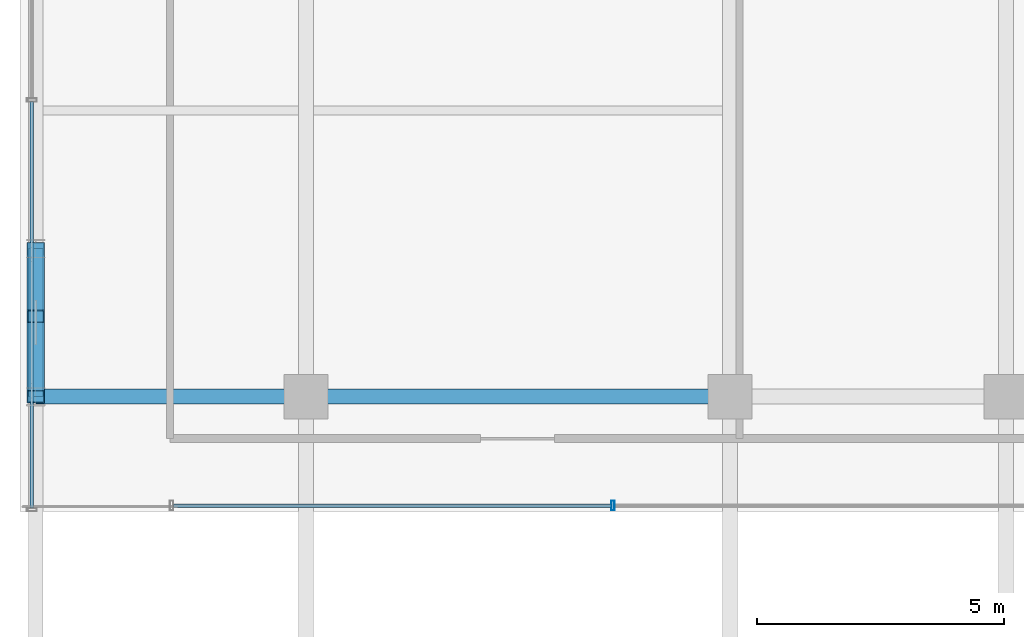
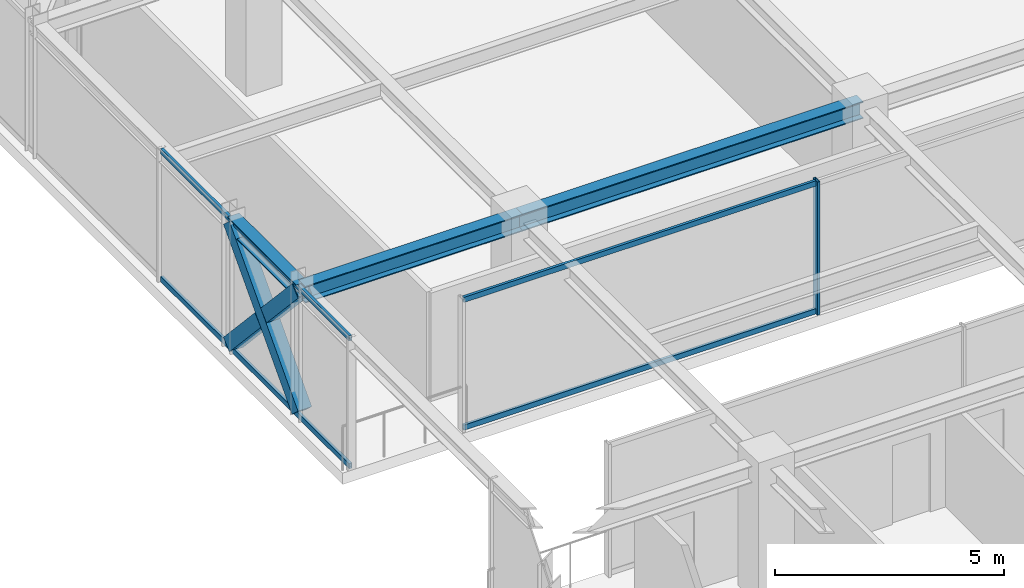
# One storey, part 12 of 39: 8 members, 3 beams, 2 elements without a shape of their own.
"""IFC4 building model written with IfcOpenShell, lengths in metres."""

from ifc_helpers import new_model, si_unit, direction, frame, origin, origin_2d, place, context, subcontext, project, spatial, hollow_rectangle, i_section, extrude, source, transform, mapped, material, material_profile, profile_set, type_object, element, aggregate, save


model = new_model("IFC4")

# Units and contexts
model_context = context("Model", 3, precision=1e-05, world=origin(), true_north=direction((0.0, 1.0)))
body_context = subcontext(model_context, "Body", "Model", "MODEL_VIEW")
ifc_project = project(units=[si_unit("LENGTHUNIT", "METRE"), si_unit("AREAUNIT", "SQUARE_METRE"), si_unit("VOLUMEUNIT", "CUBIC_METRE"), si_unit("PLANEANGLEUNIT", "RADIAN"), si_unit("MASSUNIT", "GRAM", prefix="KILO")], contexts=[model_context])

# Site, building, storey
site_placement = place(None, origin())
site = spatial("IfcSite", under=ifc_project, at=site_placement, CompositionType="ELEMENT")
building_placement = place(site_placement, origin())
building = spatial("IfcBuilding", under=site, at=building_placement, Name="Nahalor Promenade Grand Hotel", CompositionType="ELEMENT")
storey_placement = place(building_placement, frame((0.0, 0.0, 311.89990234375)))
storey = spatial("IfcBuildingStorey", under=building, at=storey_placement, Name="L80", CompositionType="ELEMENT", Elevation=311.89990234375)

# Beams
ifc_material_1 = material(Name="Steel S355JR", Category="steel")
ifc_material_profile_1 = material_profile(ifc_material_1, i_section(OverallWidth=0.3, OverallDepth=0.45, WebThickness=0.014, FlangeThickness=0.026, at=origin_2d()), Name="HEB 450")
ifc_profile_set_1 = profile_set([ifc_material_profile_1], Name="Steel S355JR")
beam_type_1 = type_object("IfcBeamType", Name="Beam-Girder-HEB450", PredefinedType="BEAM", material=ifc_profile_set_1)
shared_shape_1 = source(origin(), body_context, "Body", "SweptSolid", [
    extrude(i_section(OverallWidth=0.3, OverallDepth=0.45, WebThickness=0.014, FlangeThickness=0.026, at=origin_2d()), origin(), (0.0, 0.0, 1.0), 8.60009765625),
])
beam_1_placement = place(storey_placement, frame((-17.0, 5.39990234375, 3.3251953125), z_axis=(1.0, 0.0, 0.0), x_axis=(0.0, 1.0, 0.0)))
element("IfcBeam", 1, at=beam_1_placement, inside=storey, type_object=beam_type_1, Name="BM-L80-GX-2-1", PredefinedType="BEAM", context=body_context, shape_type="MappedRepresentation", body=[
    mapped(shared_shape_1, transform((0.0, 0.0, 0.0), scale=1.0)),
])
shared_shape_2 = source(origin(), body_context, "Body", "SweptSolid", [
    extrude(i_section(OverallWidth=0.3, OverallDepth=0.45, WebThickness=0.014, FlangeThickness=0.026, at=origin_2d()), origin(), (0.0, 0.0, 1.0), 5.47998046875),
])
beam_2_placement = place(storey_placement, frame((-22.47998046875, 5.39990234375, 3.3251953125), z_axis=(1.0, 0.0, 0.0), x_axis=(0.0, 1.0, 0.0)))
element("IfcBeam", 2, at=beam_2_placement, inside=storey, type_object=beam_type_1, Name="BM-L80-GX-2-0", PredefinedType="BEAM", context=body_context, shape_type="MappedRepresentation", body=[
    mapped(shared_shape_2, transform((0.0, 0.0, 0.0), scale=1.0)),
])
ifc_material_profile_2 = material_profile(ifc_material_1, i_section(OverallWidth=0.3, OverallDepth=0.36, WebThickness=0.0125, FlangeThickness=0.0225, at=origin_2d()), Name="HEB 360")
ifc_profile_set_2 = profile_set([ifc_material_profile_2], Name="Steel S355JR")
beam_type_2 = type_object("IfcBeamType", Name="Beam-Spandrel-HEB360", PredefinedType="SPANDREL", material=ifc_profile_set_2)
shared_shape_3 = source(origin(), body_context, "Body", "SweptSolid", [
    extrude(i_section(OverallWidth=0.3, OverallDepth=0.36, WebThickness=0.0125, FlangeThickness=0.0225, at=origin_2d()), origin(), (0.0, 0.0, 1.0), 3.0),
])
beam_3_placement = place(storey_placement, frame((-22.47998046875, 5.39990234375, 3.3701171875), z_axis=(0.0, 1.0, 0.0), x_axis=(-1.0, 0.0, 0.0)))
element("IfcBeam", 3, at=beam_3_placement, inside=storey, type_object=beam_type_2, Name="BM-L80-SP-W-3", PredefinedType="SPANDREL", context=body_context, shape_type="MappedRepresentation", body=[
    mapped(shared_shape_3, transform((0.0, 0.0, 0.0), scale=1.0)),
])

# Members
ifc_material_profile_3 = material_profile(ifc_material_1, hollow_rectangle(XDim=0.35, YDim=0.35, WallThickness=0.02, at=origin_2d()), Name="SHS 350x350x20")
ifc_profile_set_3 = profile_set([ifc_material_profile_3], Name="Steel S355JR")
member_type_1 = type_object("IfcMemberType", Name="Mem-VoidBrace-SHS350", PredefinedType="BRACE", material=ifc_profile_set_3)
shared_shape_4 = source(origin(), body_context, "Body", "SweptSolid", [
    extrude(hollow_rectangle(XDim=0.35, YDim=0.35, WallThickness=0.02, at=origin_2d()), origin(), (0.0, 0.0, 1.0), 4.4228515625),
])
member_1_placement = place(storey_placement, frame((-22.47998046875, 5.39990234375, 0.150146484375), z_axis=(0.0, 0.678280102733, 0.734803444627), x_axis=(-1.0, 0.0, 0.0)))
element("IfcMember", 4, at=member_1_placement, inside=storey, type_object=member_type_1, Name="EXO-L80-VX1-W1", PredefinedType="BRACE", context=body_context, shape_type="MappedRepresentation", body=[
    mapped(shared_shape_4, transform((0.0, 0.0, 0.0), scale=1.0)),
])
shared_shape_5 = source(origin(), body_context, "Body", "SweptSolid", [
    extrude(hollow_rectangle(XDim=0.35, YDim=0.35, WallThickness=0.02, at=origin_2d()), origin(), (0.0, 0.0, 1.0), 2.02392578125),
])
for number, where, z_axis, x_axis, name in (
    (5, (-22.47998046875, 8.39990234375, 0.150146484375), (0.0, -0.678315173958, 0.734771069639), (1.0, 0.0, 0.0), "EXO-L80-VX2-W1A"),
    (6, (-22.47998046875, 6.772705078125, 1.912841796875), (0.0, -0.678255053132, 0.734826566545), (1.0, 0.0, 0.0), "EXO-L80-VX2-W1B"),
):
    element("IfcMember", number, at=place(storey_placement, frame(where, z_axis=z_axis, x_axis=x_axis)), inside=storey, type_object=member_type_1, Name=name, PredefinedType="BRACE", context=body_context, shape_type="MappedRepresentation", body=[
        mapped(shared_shape_5, transform((0.0, 0.0, 0.0), scale=1.0)),
    ])

# Curtain wall, members
ifc_material_2 = material(Name="Anodised Bronze Aluminium EN AW-6063 T6", Category="aluminium")
curtain_wall_type = type_object("IfcCurtainWallType", Name="CW3 Elliptical-Void Collar Unitised Curtain Wall", PredefinedType="USERDEFINED", material=ifc_material_2)
curtain_wall_1_placement = place(storey_placement, origin())
curtain_wall_1 = element("IfcCurtainWall", 7, at=curtain_wall_1_placement, inside=storey, type_object=curtain_wall_type, Name="L80 Curtain Wall CW-L80-VOID-WN1", ObjectType="UNITISED_CURTAIN_WALL", PredefinedType="USERDEFINED")
ifc_material_profile_4 = material_profile(ifc_material_2, hollow_rectangle(XDim=0.07, YDim=0.14, WallThickness=0.004, at=origin_2d()), Name="CWT 70x140x4")
ifc_profile_set_4 = profile_set([ifc_material_profile_4], Name="Anodised Bronze Aluminium EN AW-6063 T6")
member_type_2 = type_object("IfcMemberType", Name="CWT3 Void Collar Transom 70x140", PredefinedType="USERDEFINED", material=ifc_profile_set_4)
shared_shape_6 = source(origin(), body_context, "Body", "SweptSolid", [
    extrude(hollow_rectangle(XDim=0.07, YDim=0.14, WallThickness=0.004, at=origin_2d()), origin(), (0.0, 0.0, 1.0), 8.881591796875),
])
member_2_placement = place(storey_placement, frame((-19.68994140625, 3.19091796875, 0.070068359375), z_axis=(1.0, 0.0, 0.0), x_axis=(0.0, 1.0, 0.0)))
member_2 = element("IfcMember", 8, at=member_2_placement, type_object=member_type_2, Name="CW-L80-VOID-WN1 Transom 0-0", ObjectType="TRANSOM", PredefinedType="USERDEFINED", context=body_context, shape_type="MappedRepresentation", body=[
    mapped(shared_shape_6, transform((0.0, 0.0, 0.0), scale=1.0)),
])
member_3_placement = place(storey_placement, frame((-19.68994140625, 3.19091796875, 3.47998046875), z_axis=(1.0, 0.0, 0.0), x_axis=(0.0, 1.0, 0.0)))
member_3 = element("IfcMember", 9, at=member_3_placement, type_object=member_type_2, Name="CW-L80-VOID-WN1 Transom 0-1", ObjectType="TRANSOM", PredefinedType="USERDEFINED", context=body_context, shape_type="MappedRepresentation", body=[
    mapped(shared_shape_6, transform((0.0, 0.0, 0.0), scale=1.0)),
])
ifc_material_profile_5 = material_profile(ifc_material_2, hollow_rectangle(XDim=0.07, YDim=0.2, WallThickness=0.005, at=origin_2d()), Name="CWM 70x200x5")
ifc_profile_set_5 = profile_set([ifc_material_profile_5], Name="Anodised Bronze Aluminium EN AW-6063 T6")
member_type_3 = type_object("IfcMemberType", Name="CWM3 Void Collar Mullion 70x200", PredefinedType="MULLION", material=ifc_profile_set_5)
shared_shape_7 = source(origin(), body_context, "Body", "SweptSolid", [
    extrude(hollow_rectangle(XDim=0.07, YDim=0.2, WallThickness=0.005, at=origin_2d()), origin(), (0.0, 0.0, 1.0), 3.550048828125),
])
member_4_placement = place(storey_placement, frame((-10.7734375, 3.19091796875, 0.0), z_axis=(0.0, 0.0, 1.0), x_axis=(1.0, 0.0, 0.0)))
member_4 = element("IfcMember", 10, at=member_4_placement, type_object=member_type_3, Name="CW-L80-VOID-WN1 Mullion 1", PredefinedType="MULLION", context=body_context, shape_type="MappedRepresentation", body=[
    mapped(shared_shape_7, transform((0.0, 0.0, 0.0), scale=1.0)),
])
aggregate(curtain_wall_1, [member_4, member_2, member_3])

curtain_wall_2_placement = place(storey_placement, origin())
curtain_wall_2 = element("IfcCurtainWall", 11, at=curtain_wall_2_placement, inside=storey, type_object=curtain_wall_type, Name="L80 Curtain Wall CW-L80-W-2", ObjectType="UNITISED_CURTAIN_WALL", PredefinedType="USERDEFINED")
shared_shape_8 = source(origin(), body_context, "Body", "SweptSolid", [
    extrude(hollow_rectangle(XDim=0.07, YDim=0.14, WallThickness=0.004, at=origin_2d()), origin(), (0.0, 0.0, 1.0), 8.239501953125),
])
member_5_placement = place(storey_placement, frame((-22.56005859375, 3.14111328125, 0.070068359375), z_axis=(0.0, 1.0, 0.0), x_axis=(-1.0, 0.0, 0.0)))
member_5 = element("IfcMember", 12, at=member_5_placement, type_object=member_type_2, Name="CW-L80-W-2 Transom 0-0", ObjectType="TRANSOM", PredefinedType="USERDEFINED", context=body_context, shape_type="MappedRepresentation", body=[
    mapped(shared_shape_8, transform((0.0, 0.0, 0.0), scale=1.0)),
])
member_6_placement = place(storey_placement, frame((-22.56005859375, 3.14111328125, 3.47998046875), z_axis=(0.0, 1.0, 0.0), x_axis=(-1.0, 0.0, 0.0)))
member_6 = element("IfcMember", 13, at=member_6_placement, type_object=member_type_2, Name="CW-L80-W-2 Transom 0-1", ObjectType="TRANSOM", PredefinedType="USERDEFINED", context=body_context, shape_type="MappedRepresentation", body=[
    mapped(shared_shape_8, transform((0.0, 0.0, 0.0), scale=1.0)),
])
aggregate(curtain_wall_2, [member_5, member_6])

save(model, "model.ifc")
